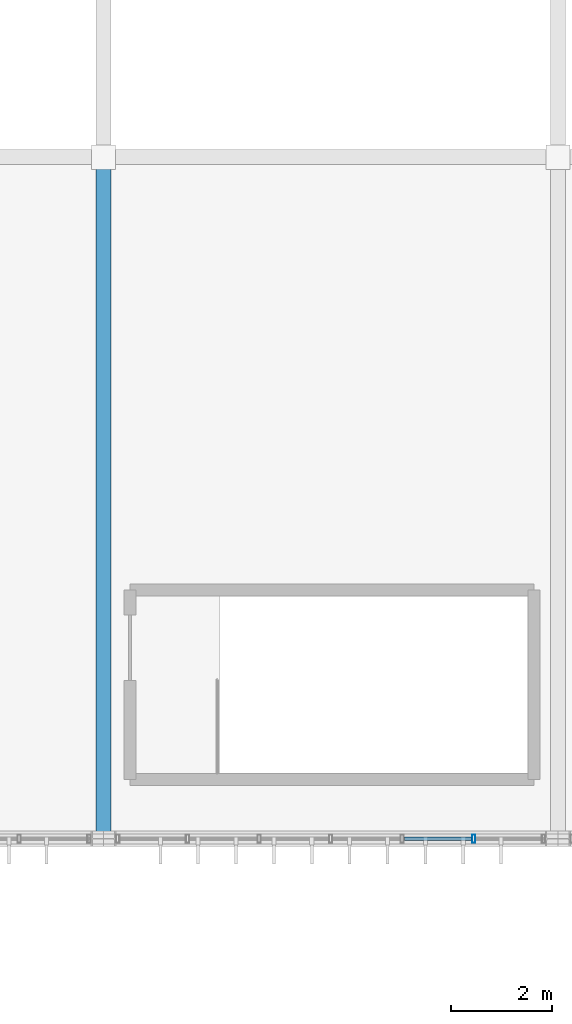
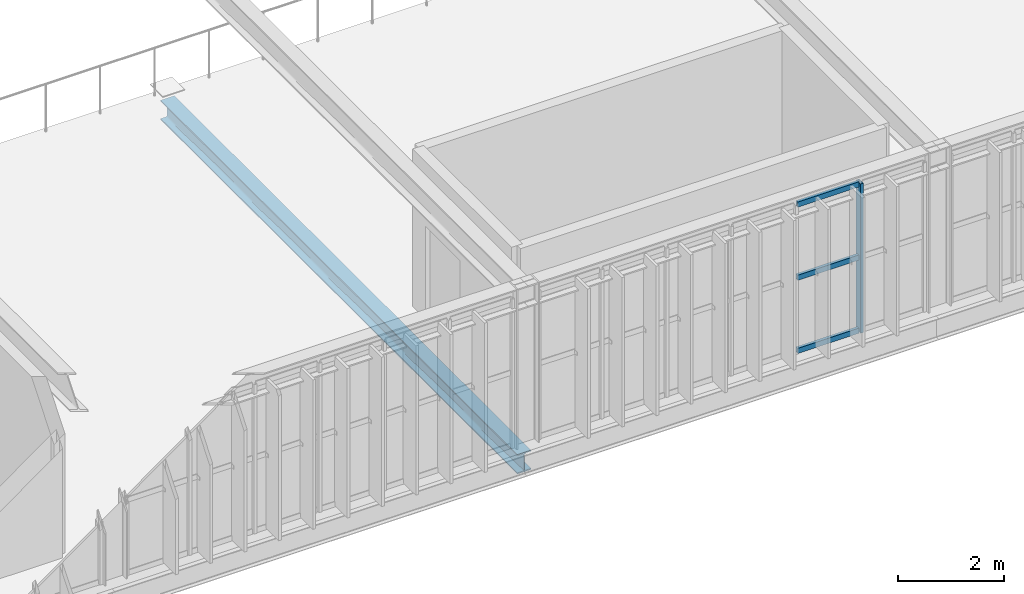
# One storey, part 37 of 152: 4 members, 1 beam, 1 element without a shape of its own.
"""IFC4 building model written with IfcOpenShell, lengths in metres."""

from ifc_helpers import new_model, si_unit, derived_unit, direction, frame, origin, origin_2d, place, context, subcontext, project, spatial, hollow_rectangle, i_section, extrude, material, material_profile, profile_set, type_object, element, aggregate, save


model = new_model("IFC4")

# Units and contexts
model_context = context("Model", 3, precision=1e-05, world=origin(), true_north=direction((0.0, 1.0)))
body_context = subcontext(model_context, "Body", "Model", "MODEL_VIEW")
ifc_project = project(units=[si_unit("LENGTHUNIT", "METRE"), si_unit("AREAUNIT", "SQUARE_METRE"), si_unit("VOLUMEUNIT", "CUBIC_METRE"), si_unit("PLANEANGLEUNIT", "RADIAN"), si_unit("MASSUNIT", "GRAM", prefix="KILO"), si_unit("THERMODYNAMICTEMPERATUREUNIT", "KELVIN"), si_unit("TIMEUNIT", "SECOND"), derived_unit("THERMALTRANSMITTANCEUNIT", [(si_unit("MASSUNIT", "GRAM", prefix="KILO"), 1), (si_unit("THERMODYNAMICTEMPERATUREUNIT", "KELVIN"), -1), (si_unit("TIMEUNIT", "SECOND"), -3)])], contexts=[model_context])

# Site, building, storey
site_placement = place(None, origin())
site = spatial("IfcSite", under=ifc_project, at=site_placement, CompositionType="ELEMENT")
building_placement = place(site_placement, origin())
building = spatial("IfcBuilding", under=site, at=building_placement, Name="Cambertide Market Hall", CompositionType="ELEMENT")
storey_placement = place(building_placement, frame((0.0, 0.0, 5.39990234375)))
storey = spatial("IfcBuildingStorey", under=building, at=storey_placement, Name="L02", CompositionType="ELEMENT", Elevation=5.39990234375)

# Curtain wall, members
ifc_material_1 = material(Name="Marine Anodized Aluminium 6063-T6 AA25", Category="aluminium")
curtain_wall_type = type_object("IfcCurtainWallType", Name="Lantern Straight Upper Curtain Wall", PredefinedType="USERDEFINED", material=ifc_material_1)
curtain_wall_placement = place(storey_placement, origin())
curtain_wall = element("IfcCurtainWall", 1, at=curtain_wall_placement, inside=storey, type_object=curtain_wall_type, Name="Level 2 Curtain Wall CW-V1S-L02-5", ObjectType="UNITIZED CURTAIN WALL", PredefinedType="USERDEFINED")
ifc_material_2 = material(Name="Champagne Marine Anodized Aluminium 6063-T6 AA25", Category="aluminium")
ifc_material_profile_1 = material_profile(ifc_material_2, hollow_rectangle(XDim=0.06494140625, YDim=0.159912109375, WallThickness=0.00341796875, at=origin_2d()), Name="ALU MULLION 65x160")
ifc_profile_set_1 = profile_set([ifc_material_profile_1], Name="Champagne Marine Anodized Aluminium 6063-T6 AA25")
member_type_1 = type_object("IfcMemberType", Name="Curtain Wall Mullion ALU MULLION 65x160", PredefinedType="MULLION", material=ifc_profile_set_1)
member_1_placement = place(storey_placement, frame((85.333251953125, 52.0, 0.0), z_axis=(0.0, 0.0, 1.0), x_axis=(-1.0, 0.0, 0.0)))
member_1 = element("IfcMember", 2, at=member_1_placement, type_object=member_type_1, Name="CW-V1S-L02-5 Mullion 2", PredefinedType="MULLION", context=body_context, shape_type="SweptSolid", body=[
    extrude(hollow_rectangle(XDim=0.06494140625, YDim=0.159912109375, WallThickness=0.00341796875, at=origin_2d()), origin(), (0.0, 0.0, 1.0), 3.4501953125),
])
ifc_material_3 = material(Name="Champagne Marine Anodized Aluminium 6063-T6 AA25", Category="aluminium")
ifc_material_profile_2 = material_profile(ifc_material_3, hollow_rectangle(XDim=0.06494140625, YDim=0.1201171875, WallThickness=0.003173828125, at=origin_2d()), Name="ALU TRANSOM 65x120")
ifc_profile_set_2 = profile_set([ifc_material_profile_2], Name="Champagne Marine Anodized Aluminium 6063-T6 AA25")
member_type_2 = type_object("IfcMemberType", Name="Curtain Wall Transom ALU TRANSOM 65x120", PredefinedType="USERDEFINED", material=ifc_profile_set_2)
member_2_placement = place(storey_placement, frame((85.293212890625, 52.0, 0.03515625), z_axis=(-1.0, 0.0, 0.0), x_axis=(0.0, -1.0, 0.0)))
member_2 = element("IfcMember", 3, at=member_2_placement, type_object=member_type_2, Name="CW-V1S-L02-5 Transom 1-2", ObjectType="TRANSOM", PredefinedType="USERDEFINED", context=body_context, shape_type="SweptSolid", body=[
    extrude(hollow_rectangle(XDim=0.06494140625, YDim=0.1201171875, WallThickness=0.003173828125, at=origin_2d()), origin(), (0.0, 0.0, 1.0), 1.33642578125),
])
member_3_placement = place(storey_placement, frame((85.293212890625, 52.0, 1.72509765625), z_axis=(-1.0, 0.0, 0.0), x_axis=(0.0, -1.0, 0.0)))
member_3 = element("IfcMember", 4, at=member_3_placement, type_object=member_type_2, Name="CW-V1S-L02-5 Transom 2-2", ObjectType="TRANSOM", PredefinedType="USERDEFINED", context=body_context, shape_type="SweptSolid", body=[
    extrude(hollow_rectangle(XDim=0.06494140625, YDim=0.1201171875, WallThickness=0.003173828125, at=origin_2d()), origin(), (0.0, 0.0, 1.0), 1.33642578125),
])
member_4_placement = place(storey_placement, frame((85.293212890625, 52.0, 3.4150390625), z_axis=(-1.0, 0.0, 0.0), x_axis=(0.0, -1.0, 0.0)))
member_4 = element("IfcMember", 5, at=member_4_placement, type_object=member_type_2, Name="CW-V1S-L02-5 Transom 3-2", ObjectType="TRANSOM", PredefinedType="USERDEFINED", context=body_context, shape_type="SweptSolid", body=[
    extrude(hollow_rectangle(XDim=0.06494140625, YDim=0.1201171875, WallThickness=0.003173828125, at=origin_2d()), origin(), (0.0, 0.0, 1.0), 1.33642578125),
])
aggregate(curtain_wall, [member_1, member_2, member_3, member_4])

# Beam
ifc_material_4 = material(Name="Steel S355", Category="steel")
ifc_material_profile_3 = material_profile(ifc_material_4, i_section(OverallWidth=0.300048828125, OverallDepth=0.449951171875, WebThickness=0.013916015625, FlangeThickness=0.02587890625, FilletRadius=0.027099609375, at=origin_2d()), Name="HEB 450")
ifc_profile_set_3 = profile_set([ifc_material_profile_3], Name="Steel S355")
beam_type = type_object("IfcBeamType", Name="Steel Girder HEB 450", PredefinedType="BEAM", material=ifc_profile_set_3)
beam_placement = place(storey_placement, frame((78.0, 52.0, -0.46484375), z_axis=(0.0, 1.0, 0.0), x_axis=(-1.0, 0.0, 0.0)))
element("IfcBeam", 6, at=beam_placement, inside=storey, type_object=beam_type, Name="Level 2 Beam BM-V1TS-L02-5", PredefinedType="BEAM", context=body_context, shape_type="SweptSolid", body=[
    extrude(i_section(OverallWidth=0.300048828125, OverallDepth=0.449951171875, WebThickness=0.013916015625, FlangeThickness=0.02587890625, FilletRadius=0.027099609375, at=origin_2d()), origin(), (0.0, 0.0, 1.0), 13.5),
])

save(model, "model.ifc")
